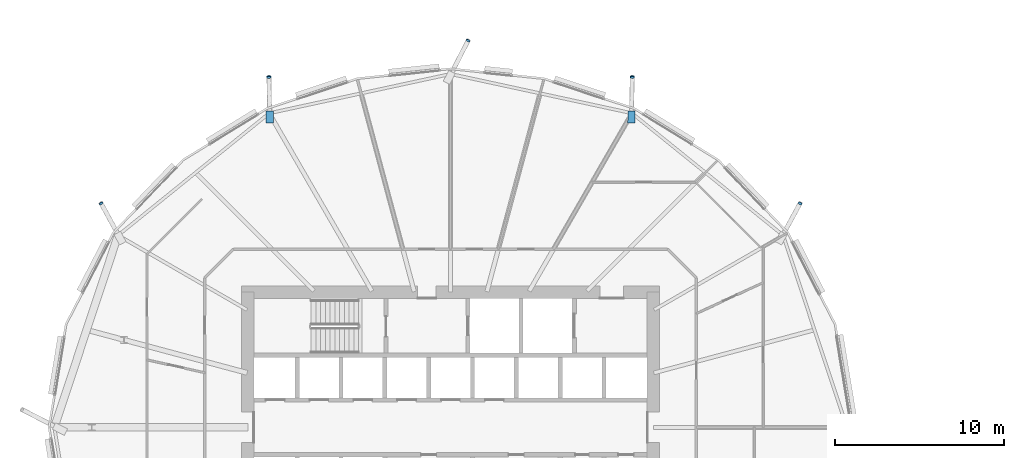
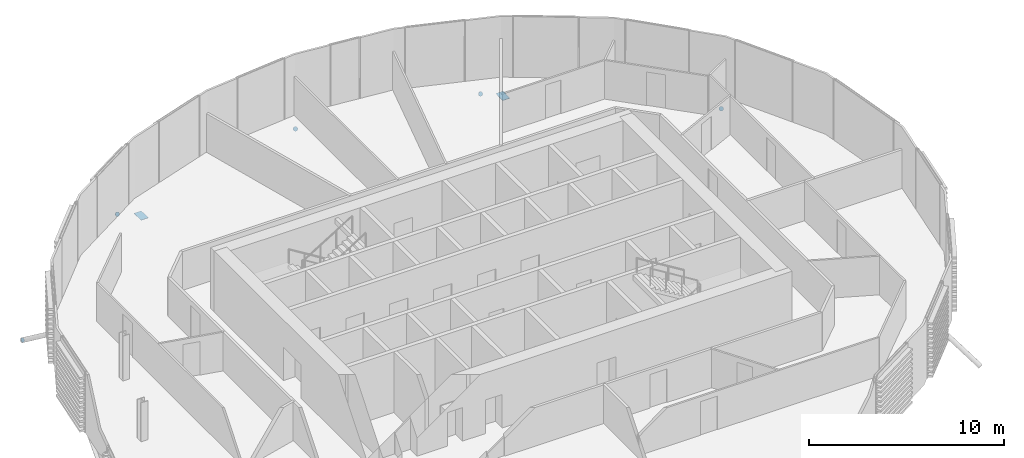
# One storey, part 31 of 43: 7 discrete accessories.
"""IFC4 building model written with IfcOpenShell, lengths in metres."""

from ifc_helpers import new_model, si_unit, direction, frame, origin, origin_2d, place, context, subcontext, project, spatial, polyline, rectangle, circle, outline, extrude, material, material_profile, profile_set, type_object, element, save


model = new_model("IFC4")

# Units and contexts
model_context = context("Model", 3, precision=1e-05, world=origin(), true_north=direction((0.0, 1.0)))
body_context = subcontext(model_context, "Body", "Model", "MODEL_VIEW")
ifc_project = project(units=[si_unit("LENGTHUNIT", "METRE"), si_unit("AREAUNIT", "SQUARE_METRE"), si_unit("VOLUMEUNIT", "CUBIC_METRE"), si_unit("PLANEANGLEUNIT", "RADIAN"), si_unit("MASSUNIT", "GRAM", prefix="KILO")], contexts=[model_context])

# Site, building, storey
site_placement = place(None, origin())
site = spatial("IfcSite", under=ifc_project, at=site_placement, CompositionType="ELEMENT")
building_placement = place(site_placement, origin())
building = spatial("IfcBuilding", under=site, at=building_placement, Name="Rimbun Link Towers", CompositionType="ELEMENT")
storey_placement = place(building_placement, frame((0.0, 0.0, 81.60009765625)))
storey = spatial("IfcBuildingStorey", under=building, at=storey_placement, Name="L19", CompositionType="ELEMENT", Elevation=81.60009765625)

# Discrete accessories
ifc_material_1 = material(Name="Steel S355J2H", Category="steel")
ifc_material_profile_1 = material_profile(ifc_material_1, circle(Radius=0.1240234375, at=origin_2d()), Name="PL D248")
ifc_profile_set_1 = profile_set([ifc_material_profile_1], Name="Steel S355J2H")
discrete_accessory_type_1 = type_object("IfcDiscreteAccessoryType", Name="Link foot sealing plate D248X20", PredefinedType="BRACKET", material=ifc_profile_set_1)
discrete_accessory_1_placement = place(storey_placement, frame((-11.072021484375, 13.25048828125, -2.043701171875), z_axis=(0.41083301237, 0.749166081381, -0.519582927409), x_axis=(-0.876812408671, 0.480832611207, 0.0)))
element("IfcDiscreteAccessory", 1, at=discrete_accessory_1_placement, inside=storey, type_object=discrete_accessory_type_1, Name="Link foot sealing plate T1 L19 02", PredefinedType="BRACKET", context=body_context, shape_type="SweptSolid", body=[
    extrude(circle(Radius=0.1240234375, at=origin_2d()), origin(), (0.0, 0.0, 1.0), 0.020263671875),
])
for number, where, z_axis, x_axis, name in (
    (2, (-20.998779296875, 20.73046875, -2.17578125), (0.012140178547, 0.874092855378, -0.485607141877), (-0.999903563335, 0.013887549491, 0.0), "Link foot sealing plate T1 L19 04"),
    (3, (-30.717041015625, 22.887939453125, -2.269775390625), (0.391702981418, 0.771165244667, -0.501869444942), (-0.891578868093, 0.452865456809, 0.0), "Link foot sealing plate T1 L19 06"),
    (4, (-42.501220703125, 20.73046875, -2.17578125), (-0.012140178547, 0.874092855378, -0.485607141877), (-0.999903563335, -0.013887549491, 0.0), "Link foot sealing plate T1 L19 08"),
):
    element("IfcDiscreteAccessory", number, at=place(storey_placement, frame(where, z_axis=z_axis, x_axis=x_axis)), inside=storey, type_object=discrete_accessory_type_1, Name=name, PredefinedType="BRACKET", context=body_context, shape_type="SweptSolid", body=[
        extrude(circle(Radius=0.1240234375, at=origin_2d()), origin(), (0.0, 0.0, 1.0), 0.02001953125),
    ])
discrete_accessory_2_placement = place(storey_placement, frame((-52.427978515625, 13.25048828125, -2.043701171875), z_axis=(-0.41083301237, 0.749166081381, -0.519582927409), x_axis=(-0.876812408671, -0.480832611207, 0.0)))
element("IfcDiscreteAccessory", 5, at=discrete_accessory_2_placement, inside=storey, type_object=discrete_accessory_type_1, Name="Link foot sealing plate T1 L19 10", PredefinedType="BRACKET", context=body_context, shape_type="SweptSolid", body=[
    extrude(circle(Radius=0.1240234375, at=origin_2d()), origin(), (0.0, 0.0, 1.0), 0.020263671875),
])
ifc_material_2 = material(Name="Steel S355J2H", Category="steel")
ifc_material_profile_2 = material_profile(ifc_material_2, rectangle(XDim=0.43310546875, YDim=0.43310546875, at=origin_2d()), Name="PL 433x433")
ifc_profile_set_2 = profile_set([ifc_material_profile_2], Name="Steel S355J2H")
discrete_accessory_type_2 = type_object("IfcDiscreteAccessoryType", Name="Link head end plate 433X20", PredefinedType="BRACKET", material=ifc_profile_set_2)
discrete_accessory_3_placement = place(storey_placement, frame((0.0, 0.0, -0.863525390625)))
element("IfcDiscreteAccessory", 6, at=discrete_accessory_3_placement, inside=storey, type_object=discrete_accessory_type_2, Name="Link head end plate T1 L19 04", PredefinedType="BRACKET", context=body_context, shape_type="SweptSolid", body=[
    extrude(outline(polyline([(-20.834716796875, 18.006103515625), (-20.82080078125, 18.727783203125), (-21.253662109375, 18.736083984375), (-21.267578125, 18.014404296875), (-20.834716796875, 18.006103515625)])), origin(), (0.0, 0.0, 1.0), 0.02001953125),
])
discrete_accessory_4_placement = place(storey_placement, frame((0.0, 0.0, -0.863525390625)))
element("IfcDiscreteAccessory", 7, at=discrete_accessory_4_placement, inside=storey, type_object=discrete_accessory_type_2, Name="Link head end plate T1 L19 08", PredefinedType="BRACKET", context=body_context, shape_type="SweptSolid", body=[
    extrude(outline(polyline([(-42.232421875, 18.014404296875), (-42.246337890625, 18.736083984375), (-42.67919921875, 18.727783203125), (-42.665283203125, 18.006103515625), (-42.232421875, 18.014404296875)])), origin(), (0.0, 0.0, 1.0), 0.02001953125),
])

save(model, "model.ifc")
